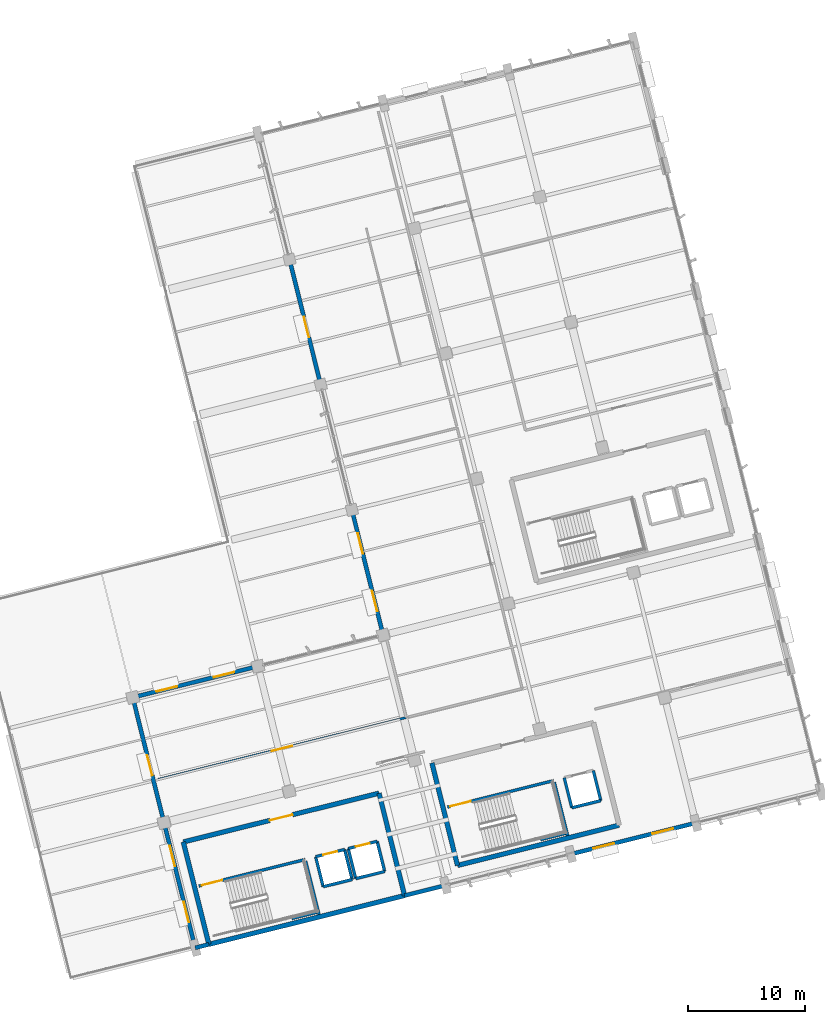
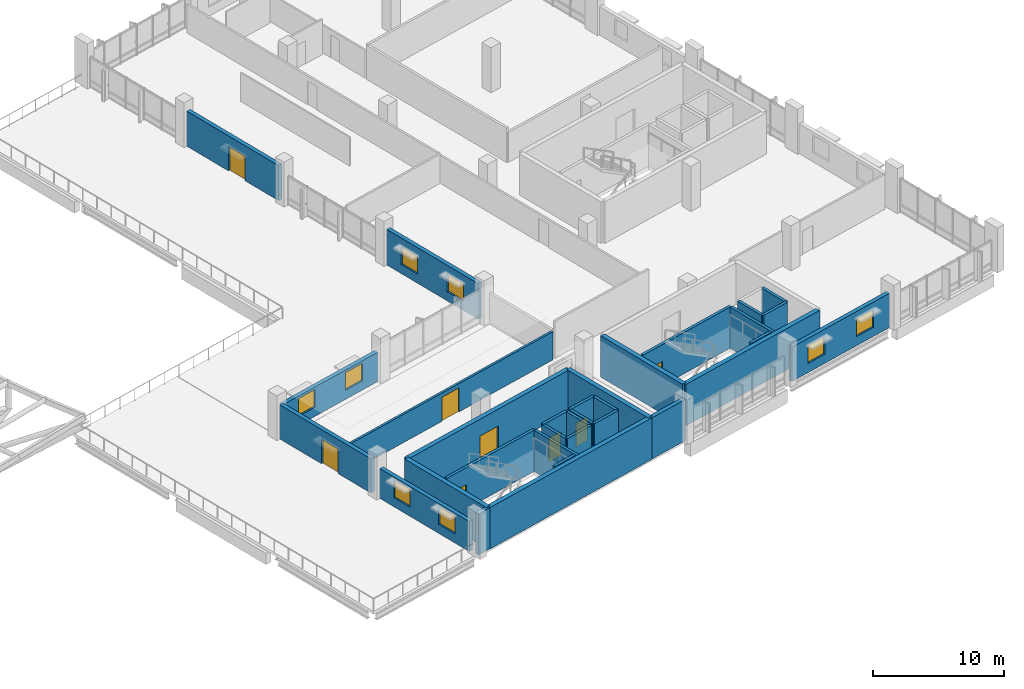
# One storey, part 67 of 75: 32 walls, 8 doors, 8 windows, 16 openings.
"""IFC4 building model written with IfcOpenShell, lengths in metres."""

from ifc_helpers import new_model, si_unit, direction, frame, frame_2d, origin, place, context, subcontext, project, spatial, rectangle, extrude, material, layer, layer_set, type_object, element, fill, save


model = new_model("IFC4")

# Units and contexts
model_context = context("Model", 3, precision=1e-05, world=origin(), true_north=direction((0.0, 1.0)))
body_context = subcontext(model_context, "Body", "Model", "MODEL_VIEW")
ifc_project = project(units=[si_unit("LENGTHUNIT", "METRE"), si_unit("AREAUNIT", "SQUARE_METRE"), si_unit("VOLUMEUNIT", "CUBIC_METRE"), si_unit("PLANEANGLEUNIT", "RADIAN"), si_unit("MASSUNIT", "GRAM", prefix="KILO")], contexts=[model_context])

# Site, building, storey
site_placement = place(None, origin())
site = spatial("IfcSite", under=ifc_project, at=site_placement, CompositionType="ELEMENT")
building_placement = place(site_placement, origin())
building = spatial("IfcBuilding", under=site, at=building_placement, Name="Khorjan Park Terminus", CompositionType="ELEMENT")
storey_placement = place(building_placement, frame((0.0, 0.0, 16.2)))
storey = spatial("IfcBuildingStorey", under=building, at=storey_placement, Name="L03", CompositionType="ELEMENT", Elevation=16.2)

# Walls
ifc_material_1 = material(Name="Concrete C50/60", Category="concrete")
ifc_layer_1 = layer(ifc_material_1, 0.4)
ifc_layer_set_1 = layer_set([ifc_layer_1], Name="Concrete C50/60")
wall_type_1 = type_object("IfcWallType", Name="CW-40", PredefinedType="SHEAR", material=ifc_layer_set_1)
wall_1_placement = place(storey_placement, frame((177.8376, 4.9514, 0.0), z_axis=(0.0, 0.0, 1.0), x_axis=(0.970295179998, 0.241924086589, 0.0)))
element("IfcWall", 1, at=wall_1_placement, inside=storey, type_object=wall_type_1, Name="Operations West Firefighting Core concrete shear wall CW-40 (L03-E1)", PredefinedType="SHEAR", context=body_context, shape_type="SweptSolid", body=[
    extrude(rectangle(XDim=17.2, YDim=0.4, at=frame_2d((8.6, 0.0))), origin(), (0.0, 0.0, 1.0), 3.87),
])
wall_2_placement = place(storey_placement, frame((194.5267, 9.1125, 0.0), z_axis=(0.0, 0.0, 1.0), x_axis=(-0.241923808098, 0.970295249435, 0.0)))
element("IfcWall", 2, at=wall_2_placement, inside=storey, type_object=wall_type_1, Name="Operations West Firefighting Core concrete shear wall CW-40 (L03-E2)", PredefinedType="SHEAR", context=body_context, shape_type="SweptSolid", body=[
    extrude(rectangle(XDim=8.9999, YDim=0.4, at=frame_2d((4.5, 0.0))), origin(), (0.0, 0.0, 1.0), 3.87),
])

# Wall, opening, door
wall_3_placement = place(storey_placement, frame((192.3494, 17.8451, 0.0), z_axis=(0.0, 0.0, 1.0), x_axis=(-0.970296544738, -0.241918612906, 0.0)))
wall_3 = element("IfcWall", 3, at=wall_3_placement, inside=storey, type_object=wall_type_1, Name="Operations West Firefighting Core concrete shear wall CW-40 (L03-E3)", PredefinedType="SHEAR", context=body_context, shape_type="SweptSolid", body=[
    extrude(rectangle(XDim=17.2, YDim=0.4, at=frame_2d((8.6, 0.0))), origin(), (0.0, 0.0, 1.0), 3.87),
])
opening_1_placement = place(wall_3_placement, frame((7.6, 0.0, 0.0)))
opening_1 = element("IfcOpeningElement", 4, at=opening_1_placement, cuts=wall_3, Name="Opening FD-20", PredefinedType="OPENING", context=body_context, shape_type="SweptSolid", body=[
    extrude(rectangle(XDim=2.0, YDim=2.3, at=frame_2d((1.0, 1.15))), frame((0.0, 0.21, 0.0), z_axis=(0.0, -1.0, 0.0), x_axis=(1.0, 0.0, 0.0)), (0.0, 0.0, 1.0), 0.42),
])
ifc_material_2 = material(Name="Fire-Rated Steel Double Door", Category="steel")
door_type_1 = type_object("IfcDoorType", Name="FD-20", OperationType="NOTDEFINED", PredefinedType="DOOR", material=ifc_material_2)
door_1_placement = place(opening_1_placement, origin())
door_1 = element("IfcDoor", 5, at=door_1_placement, inside=storey, type_object=door_type_1, Name="Operations West Firefighting Core fire-rated exit door FD-20 (L03)", OperationType="DOUBLE_DOOR_SINGLE_SWING", OverallHeight=2.3, OverallWidth=2.0, PredefinedType="DOOR", context=body_context, shape_type="SweptSolid", body=[
    extrude(rectangle(XDim=2.0, YDim=2.3, at=frame_2d((1.0, 1.15))), frame((0.0, 0.025, 0.0), z_axis=(0.0, -1.0, 0.0), x_axis=(1.0, 0.0, 0.0)), (0.0, 0.0, 1.0), 0.05),
])
fill(opening_1, door_1)

# Walls
wall_4_placement = place(storey_placement, frame((175.6603, 13.6841, 0.0), z_axis=(0.0, 0.0, 1.0), x_axis=(0.241921199913, -0.97029589973, 0.0)))
element("IfcWall", 6, at=wall_4_placement, inside=storey, type_object=wall_type_1, Name="Operations West Firefighting Core concrete shear wall CW-40 (L03-E4)", PredefinedType="SHEAR", context=body_context, shape_type="SweptSolid", body=[
    extrude(rectangle(XDim=9.0, YDim=0.4, at=frame_2d((4.5, 0.0))), origin(), (0.0, 0.0, 1.0), 3.87),
])
wall_5_placement = place(storey_placement, frame((199.0395, 11.6805, 0.0), z_axis=(0.0, 0.0, 1.0), x_axis=(0.970295578967, 0.241922486422, 0.0)))
element("IfcWall", 7, at=wall_5_placement, inside=storey, type_object=wall_type_1, Name="Operations Central Command Core concrete shear wall CW-40 (L03-E1)", PredefinedType="SHEAR", context=body_context, shape_type="SweptSolid", body=[
    extrude(rectangle(XDim=14.2, YDim=0.4, at=frame_2d((7.1, 0.0))), origin(), (0.0, 0.0, 1.0), 3.87),
])
wall_6_placement = place(storey_placement, frame((196.8622, 20.4132, 0.0), z_axis=(0.0, 0.0, 1.0), x_axis=(0.241921199913, -0.97029589973, 0.0)))
element("IfcWall", 8, at=wall_6_placement, inside=storey, type_object=wall_type_1, Name="Operations Central Command Core concrete shear wall CW-40 (L03-E4)", PredefinedType="SHEAR", context=body_context, shape_type="SweptSolid", body=[
    extrude(rectangle(XDim=9.0, YDim=0.4, at=frame_2d((4.5, 0.0))), origin(), (0.0, 0.0, 1.0), 3.87),
])

# Wall, openings, windows
ifc_material_3 = material(Name="Pigmented Precast GRC & Concrete C40/50", Category="concrete")
ifc_layer_2 = layer(ifc_material_3, 0.35)
ifc_layer_set_2 = layer_set([ifc_layer_2], Name="Pigmented Precast GRC & Concrete C40/50")
wall_type_2 = type_object("IfcWallType", Name="EW-35", PredefinedType="STANDARD", material=ifc_layer_set_2)
wall_7_placement = place(storey_placement, frame((208.9987, 12.7208, 0.0), z_axis=(0.0, 0.0, 1.0), x_axis=(0.970297165187, 0.241916124371, 0.0)))
wall_7 = element("IfcWall", 9, at=wall_7_placement, inside=storey, type_object=wall_type_2, Name="External pigmented-GRC insulated wall EW-35 (EW-V5-S-L03-B04)", PredefinedType="STANDARD", context=body_context, shape_type="SweptSolid", body=[
    extrude(rectangle(XDim=10.3697, YDim=0.35, at=frame_2d((5.1848, 0.0))), origin(), (0.0, 0.0, 1.0), 3.195),
])
opening_2_placement = place(wall_7_placement, frame((1.6924, 0.0, 0.85)))
opening_2 = element("IfcOpeningElement", 10, at=opening_2_placement, cuts=wall_7, Name="Opening WN-18", PredefinedType="OPENING", context=body_context, shape_type="SweptSolid", body=[
    extrude(rectangle(XDim=1.8, YDim=1.65, at=frame_2d((0.9, 0.825))), frame((0.0, 0.185, 0.0), z_axis=(0.0, -1.0, 0.0), x_axis=(1.0, 0.0, 0.0)), (0.0, 0.0, 1.0), 0.37),
])
opening_3_placement = place(wall_7_placement, frame((6.8773, 0.0, 0.85)))
opening_3 = element("IfcOpeningElement", 11, at=opening_3_placement, cuts=wall_7, Name="Opening WN-18", PredefinedType="OPENING", context=body_context, shape_type="SweptSolid", body=[
    extrude(rectangle(XDim=1.8, YDim=1.65, at=frame_2d((0.9, 0.825))), frame((0.0, 0.185, 0.0), z_axis=(0.0, -1.0, 0.0), x_axis=(1.0, 0.0, 0.0)), (0.0, 0.0, 1.0), 0.37),
])
ifc_material_4 = material(Name="Anodized Bronze Aluminium & Low-E Glass", Category="aluminium")
window_type = type_object("IfcWindowType", Name="WN-18", PartitioningType="SINGLE_PANEL", PredefinedType="WINDOW", material=ifc_material_4)
window_1_placement = place(opening_2_placement, origin())
window_1 = element("IfcWindow", 12, at=window_1_placement, inside=storey, type_object=window_type, Name="Solar-control exterior window WN-18 (WN-EW-V5-S-L03-B04-1)", OverallHeight=1.65, OverallWidth=1.8, PartitioningType="SINGLE_PANEL", PredefinedType="WINDOW", context=body_context, shape_type="SweptSolid", body=[
    extrude(rectangle(XDim=1.8, YDim=1.65, at=frame_2d((0.9, 0.825))), frame((0.0, 0.03, 0.0), z_axis=(0.0, -1.0, 0.0), x_axis=(1.0, 0.0, 0.0)), (0.0, 0.0, 1.0), 0.06),
])
fill(opening_2, window_1)
window_2_placement = place(opening_3_placement, origin())
window_2 = element("IfcWindow", 13, at=window_2_placement, inside=storey, type_object=window_type, Name="Solar-control exterior window WN-18 (WN-EW-V5-S-L03-B04-2)", OverallHeight=1.65, OverallWidth=1.8, PartitioningType="SINGLE_PANEL", PredefinedType="WINDOW", context=body_context, shape_type="SweptSolid", body=[
    extrude(rectangle(XDim=1.8, YDim=1.65, at=frame_2d((0.9, 0.825))), frame((0.0, 0.03, 0.0), z_axis=(0.0, -1.0, 0.0), x_axis=(1.0, 0.0, 0.0)), (0.0, 0.0, 1.0), 0.06),
])
fill(opening_3, window_2)

# Wall, opening, door
wall_8_placement = place(storey_placement, frame((184.8205, 62.9231, 0.0), z_axis=(0.0, 0.0, 1.0), x_axis=(0.241910181859, -0.970298646764, 0.0)))
wall_8 = element("IfcWall", 14, at=wall_8_placement, inside=storey, type_object=wall_type_2, Name="External pigmented-GRC insulated wall EW-35 (EW-V5-NW1-L03-B02)", PredefinedType="STANDARD", context=body_context, shape_type="SweptSolid", body=[
    extrude(rectangle(XDim=10.1207, YDim=0.35, at=frame_2d((5.0603, 0.0))), origin(), (0.0, 0.0, 1.0), 3.275),
])
opening_4_placement = place(wall_8_placement, frame((4.6, 0.0, 0.0)))
opening_4 = element("IfcOpeningElement", 15, at=opening_4_placement, cuts=wall_8, Name="Opening ED-18", PredefinedType="OPENING", context=body_context, shape_type="SweptSolid", body=[
    extrude(rectangle(XDim=1.8, YDim=2.3, at=frame_2d((0.9, 1.15))), frame((0.0, 0.185, 0.0), z_axis=(0.0, -1.0, 0.0), x_axis=(1.0, 0.0, 0.0)), (0.0, 0.0, 1.0), 0.37),
])
ifc_material_5 = material(Name="Anodized Bronze Aluminium & Safety Glass", Category="aluminium")
door_type_2 = type_object("IfcDoorType", Name="ED-18", OperationType="NOTDEFINED", PredefinedType="DOOR", material=ifc_material_5)
door_2_placement = place(opening_4_placement, origin())
door_2 = element("IfcDoor", 16, at=door_2_placement, inside=storey, type_object=door_type_2, Name="Exterior door ED-18 (DR-EW-V5-NW1-L03-B02)", OperationType="DOUBLE_DOOR_SINGLE_SWING", OverallHeight=2.3, OverallWidth=1.8, PredefinedType="DOOR", context=body_context, shape_type="SweptSolid", body=[
    extrude(rectangle(XDim=1.8, YDim=2.3, at=frame_2d((0.9, 1.15))), frame((0.0, 0.025, 0.0), z_axis=(0.0, -1.0, 0.0), x_axis=(1.0, 0.0, 0.0)), (0.0, 0.0, 1.0), 0.05),
])
fill(opening_4, door_2)

# Wall, openings, windows
wall_9_placement = place(storey_placement, frame((190.1428, 41.5762, 0.0), z_axis=(0.0, 0.0, 1.0), x_axis=(0.241927225135, -0.970294397458, 0.0)))
wall_9 = element("IfcWall", 17, at=wall_9_placement, inside=storey, type_object=wall_type_2, Name="External pigmented-GRC insulated wall EW-35 (EW-V5-NW1-L03-B04)", PredefinedType="STANDARD", context=body_context, shape_type="SweptSolid", body=[
    extrude(rectangle(XDim=10.0948, YDim=0.35, at=frame_2d((5.0474, 0.0))), origin(), (0.0, 0.0, 1.0), 3.325),
])
opening_5_placement = place(wall_9_placement, frame((1.6237, 0.0, 0.85)))
opening_5 = element("IfcOpeningElement", 18, at=opening_5_placement, cuts=wall_9, Name="Opening WN-18", PredefinedType="OPENING", context=body_context, shape_type="SweptSolid", body=[
    extrude(rectangle(XDim=1.8, YDim=1.65, at=frame_2d((0.9, 0.825))), frame((0.0, 0.185, 0.0), z_axis=(0.0, -1.0, 0.0), x_axis=(1.0, 0.0, 0.0)), (0.0, 0.0, 1.0), 0.37),
])
opening_6_placement = place(wall_9_placement, frame((6.6711, 0.0, 0.85)))
opening_6 = element("IfcOpeningElement", 19, at=opening_6_placement, cuts=wall_9, Name="Opening WN-18", PredefinedType="OPENING", context=body_context, shape_type="SweptSolid", body=[
    extrude(rectangle(XDim=1.8, YDim=1.65, at=frame_2d((0.9, 0.825))), frame((0.0, 0.185, 0.0), z_axis=(0.0, -1.0, 0.0), x_axis=(1.0, 0.0, 0.0)), (0.0, 0.0, 1.0), 0.37),
])
window_3_placement = place(opening_5_placement, origin())
window_3 = element("IfcWindow", 20, at=window_3_placement, inside=storey, type_object=window_type, Name="Solar-control exterior window WN-18 (WN-EW-V5-NW1-L03-B04-1)", OverallHeight=1.65, OverallWidth=1.8, PartitioningType="SINGLE_PANEL", PredefinedType="WINDOW", context=body_context, shape_type="SweptSolid", body=[
    extrude(rectangle(XDim=1.8, YDim=1.65, at=frame_2d((0.9, 0.825))), frame((0.0, 0.03, 0.0), z_axis=(0.0, -1.0, 0.0), x_axis=(1.0, 0.0, 0.0)), (0.0, 0.0, 1.0), 0.06),
])
fill(opening_5, window_3)
window_4_placement = place(opening_6_placement, origin())
window_4 = element("IfcWindow", 21, at=window_4_placement, inside=storey, type_object=window_type, Name="Solar-control exterior window WN-18 (WN-EW-V5-NW1-L03-B04-2)", OverallHeight=1.65, OverallWidth=1.8, PartitioningType="SINGLE_PANEL", PredefinedType="WINDOW", context=body_context, shape_type="SweptSolid", body=[
    extrude(rectangle(XDim=1.8, YDim=1.65, at=frame_2d((0.9, 0.825))), frame((0.0, 0.03, 0.0), z_axis=(0.0, -1.0, 0.0), x_axis=(1.0, 0.0, 0.0)), (0.0, 0.0, 1.0), 0.06),
])
fill(opening_6, window_4)

wall_10_placement = place(storey_placement, frame((181.5729, 28.5563, 0.0), z_axis=(0.0, 0.0, 1.0), x_axis=(-0.970293026442, -0.241932723785, 0.0)))
wall_10 = element("IfcWall", 22, at=wall_10_placement, inside=storey, type_object=wall_type_2, Name="External pigmented-GRC insulated wall EW-35 (EW-V5-NW2-L03-B02)", PredefinedType="STANDARD", context=body_context, shape_type="SweptSolid", body=[
    extrude(rectangle(XDim=10.0697, YDim=0.35, at=frame_2d((5.0348, 0.0))), origin(), (0.0, 0.0, 1.0), 2.735),
])
opening_7_placement = place(wall_10_placement, frame((1.6174, 0.0, 0.85)))
opening_7 = element("IfcOpeningElement", 23, at=opening_7_placement, cuts=wall_10, Name="Opening WN-18", PredefinedType="OPENING", context=body_context, shape_type="SweptSolid", body=[
    extrude(rectangle(XDim=1.8, YDim=1.65, at=frame_2d((0.9, 0.825))), frame((0.0, 0.185, 0.0), z_axis=(0.0, -1.0, 0.0), x_axis=(1.0, 0.0, 0.0)), (0.0, 0.0, 1.0), 0.37),
])
opening_8_placement = place(wall_10_placement, frame((6.6523, 0.0, 0.85)))
opening_8 = element("IfcOpeningElement", 24, at=opening_8_placement, cuts=wall_10, Name="Opening WN-18", PredefinedType="OPENING", context=body_context, shape_type="SweptSolid", body=[
    extrude(rectangle(XDim=1.8, YDim=1.65, at=frame_2d((0.9, 0.825))), frame((0.0, 0.185, 0.0), z_axis=(0.0, -1.0, 0.0), x_axis=(1.0, 0.0, 0.0)), (0.0, 0.0, 1.0), 0.37),
])
window_5_placement = place(opening_7_placement, origin())
window_5 = element("IfcWindow", 25, at=window_5_placement, inside=storey, type_object=window_type, Name="Solar-control exterior window WN-18 (WN-EW-V5-NW2-L03-B02-1)", OverallHeight=1.65, OverallWidth=1.8, PartitioningType="SINGLE_PANEL", PredefinedType="WINDOW", context=body_context, shape_type="SweptSolid", body=[
    extrude(rectangle(XDim=1.8, YDim=1.65, at=frame_2d((0.9, 0.825))), frame((0.0, 0.03, 0.0), z_axis=(0.0, -1.0, 0.0), x_axis=(1.0, 0.0, 0.0)), (0.0, 0.0, 1.0), 0.06),
])
fill(opening_7, window_5)
window_6_placement = place(opening_8_placement, origin())
window_6 = element("IfcWindow", 26, at=window_6_placement, inside=storey, type_object=window_type, Name="Solar-control exterior window WN-18 (WN-EW-V5-NW2-L03-B02-2)", OverallHeight=1.65, OverallWidth=1.8, PartitioningType="SINGLE_PANEL", PredefinedType="WINDOW", context=body_context, shape_type="SweptSolid", body=[
    extrude(rectangle(XDim=1.8, YDim=1.65, at=frame_2d((0.9, 0.825))), frame((0.0, 0.03, 0.0), z_axis=(0.0, -1.0, 0.0), x_axis=(1.0, 0.0, 0.0)), (0.0, 0.0, 1.0), 0.06),
])
fill(opening_8, window_6)

# Wall, opening, door
wall_11_placement = place(storey_placement, frame((171.4634, 25.5568, 0.0), z_axis=(0.0, 0.0, 1.0), x_axis=(0.241918762638, -0.970296507406, 0.0)))
wall_11 = element("IfcWall", 27, at=wall_11_placement, inside=storey, type_object=wall_type_2, Name="External pigmented-GRC insulated wall EW-35 (EW-V5-W-L03-B01)", PredefinedType="STANDARD", context=body_context, shape_type="SweptSolid", body=[
    extrude(rectangle(XDim=10.0707, YDim=0.35, at=frame_2d((5.0354, 0.0))), origin(), (0.0, 0.0, 1.0), 3.195),
])
opening_9_placement = place(wall_11_placement, frame((4.6, 0.0, 0.0)))
opening_9 = element("IfcOpeningElement", 28, at=opening_9_placement, cuts=wall_11, Name="Opening ED-18", PredefinedType="OPENING", context=body_context, shape_type="SweptSolid", body=[
    extrude(rectangle(XDim=1.8, YDim=2.3, at=frame_2d((0.9, 1.15))), frame((0.0, 0.185, 0.0), z_axis=(0.0, -1.0, 0.0), x_axis=(1.0, 0.0, 0.0)), (0.0, 0.0, 1.0), 0.37),
])
door_3_placement = place(opening_9_placement, origin())
door_3 = element("IfcDoor", 29, at=door_3_placement, inside=storey, type_object=door_type_2, Name="Exterior door ED-18 (DR-EW-V5-W-L03-B01)", OperationType="DOUBLE_DOOR_SINGLE_SWING", OverallHeight=2.3, OverallWidth=1.8, PredefinedType="DOOR", context=body_context, shape_type="SweptSolid", body=[
    extrude(rectangle(XDim=1.8, YDim=2.3, at=frame_2d((0.9, 1.15))), frame((0.0, 0.025, 0.0), z_axis=(0.0, -1.0, 0.0), x_axis=(1.0, 0.0, 0.0)), (0.0, 0.0, 1.0), 0.05),
])
fill(opening_9, door_3)

# Wall, openings, windows
wall_12_placement = place(storey_placement, frame((174.1247, 14.8829, 0.0), z_axis=(0.0, 0.0, 1.0), x_axis=(0.241920507487, -0.97029607237, 0.0)))
wall_12 = element("IfcWall", 30, at=wall_12_placement, inside=storey, type_object=wall_type_2, Name="External pigmented-GRC insulated wall EW-35 (EW-V5-W-L03-B02)", PredefinedType="STANDARD", context=body_context, shape_type="SweptSolid", body=[
    extrude(rectangle(XDim=9.8698, YDim=0.35, at=frame_2d((4.9349, 0.0))), origin(), (0.0, 0.0, 1.0), 2.785),
])
opening_10_placement = place(wall_12_placement, frame((1.5674, 0.0, 0.85)))
opening_10 = element("IfcOpeningElement", 31, at=opening_10_placement, cuts=wall_12, Name="Opening WN-18", PredefinedType="OPENING", context=body_context, shape_type="SweptSolid", body=[
    extrude(rectangle(XDim=1.8, YDim=1.65, at=frame_2d((0.9, 0.825))), frame((0.0, 0.185, 0.0), z_axis=(0.0, -1.0, 0.0), x_axis=(1.0, 0.0, 0.0)), (0.0, 0.0, 1.0), 0.37),
])
opening_11_placement = place(wall_12_placement, frame((6.5023, 0.0, 0.85)))
opening_11 = element("IfcOpeningElement", 32, at=opening_11_placement, cuts=wall_12, Name="Opening WN-18", PredefinedType="OPENING", context=body_context, shape_type="SweptSolid", body=[
    extrude(rectangle(XDim=1.8, YDim=1.65, at=frame_2d((0.9, 0.825))), frame((0.0, 0.185, 0.0), z_axis=(0.0, -1.0, 0.0), x_axis=(1.0, 0.0, 0.0)), (0.0, 0.0, 1.0), 0.37),
])
window_7_placement = place(opening_10_placement, origin())
window_7 = element("IfcWindow", 33, at=window_7_placement, inside=storey, type_object=window_type, Name="Solar-control exterior window WN-18 (WN-EW-V5-W-L03-B02-1)", OverallHeight=1.65, OverallWidth=1.8, PartitioningType="SINGLE_PANEL", PredefinedType="WINDOW", context=body_context, shape_type="SweptSolid", body=[
    extrude(rectangle(XDim=1.8, YDim=1.65, at=frame_2d((0.9, 0.825))), frame((0.0, 0.03, 0.0), z_axis=(0.0, -1.0, 0.0), x_axis=(1.0, 0.0, 0.0)), (0.0, 0.0, 1.0), 0.06),
])
fill(opening_10, window_7)
window_8_placement = place(opening_11_placement, origin())
window_8 = element("IfcWindow", 34, at=window_8_placement, inside=storey, type_object=window_type, Name="Solar-control exterior window WN-18 (WN-EW-V5-W-L03-B02-2)", OverallHeight=1.65, OverallWidth=1.8, PartitioningType="SINGLE_PANEL", PredefinedType="WINDOW", context=body_context, shape_type="SweptSolid", body=[
    extrude(rectangle(XDim=1.8, YDim=1.65, at=frame_2d((0.9, 0.825))), frame((0.0, 0.03, 0.0), z_axis=(0.0, -1.0, 0.0), x_axis=(1.0, 0.0, 0.0)), (0.0, 0.0, 1.0), 0.06),
])
fill(opening_11, window_8)

# Walls
wall_13_placement = place(storey_placement, frame((176.6733, 4.6611, 0.0), z_axis=(0.0, 0.0, 1.0), x_axis=(0.970294277425, 0.24192770655, 0.0)))
element("IfcWall", 35, at=wall_13_placement, inside=storey, type_object=wall_type_2, Name="External pigmented-GRC core infill wall EW-35 (EW-V5-K3P-L03-1)", PredefinedType="STANDARD", context=body_context, shape_type="SweptSolid", body=[
    extrude(rectangle(XDim=1.1999, YDim=0.35, at=frame_2d((0.5999, 0.0))), origin(), (0.0, 0.0, 1.0), 3.845),
])
wall_14_placement = place(storey_placement, frame((194.5267, 9.1125, 0.0), z_axis=(0.0, 0.0, 1.0), x_axis=(0.970297528922, 0.241914665466, 0.0)))
element("IfcWall", 36, at=wall_14_placement, inside=storey, type_object=wall_type_2, Name="External pigmented-GRC core infill wall EW-35 (EW-V5-K3P-L03-2)", PredefinedType="STANDARD", context=body_context, shape_type="SweptSolid", body=[
    extrude(rectangle(XDim=3.6, YDim=0.35, at=frame_2d((1.8, 0.0))), origin(), (0.0, 0.0, 1.0), 3.845),
])

# Wall, opening, door
ifc_material_6 = material(Name="Fire-Rated Acoustic Masonry & Drywall", Category="masonry")
ifc_layer_3 = layer(ifc_material_6, 0.2)
ifc_layer_set_3 = layer_set([ifc_layer_3], Name="Fire-Rated Acoustic Masonry & Drywall")
wall_type_3 = type_object("IfcWallType", Name="PT-20", PredefinedType="PARTITIONING", material=ifc_layer_set_3)
wall_15_placement = place(storey_placement, frame((194.6576, 24.2952, 0.0), z_axis=(0.0, 0.0, 1.0), x_axis=(-0.970295840199, -0.241921438678, 0.0)))
wall_15 = element("IfcWall", 37, at=wall_15_placement, inside=storey, type_object=wall_type_3, Name="Interior acoustic partition PT-20 (L03-SCADA)", PredefinedType="PARTITIONING", context=body_context, shape_type="SweptSolid", body=[
    extrude(rectangle(XDim=21.8001, YDim=0.2, at=frame_2d((10.9001, 0.0))), origin(), (0.0, 0.0, 1.0), 2.635),
])
opening_12_placement = place(wall_15_placement, frame((10.0, 0.0, 0.0)))
opening_12 = element("IfcOpeningElement", 38, at=opening_12_placement, cuts=wall_15, Name="Opening ID-18", PredefinedType="OPENING", context=body_context, shape_type="SweptSolid", body=[
    extrude(rectangle(XDim=1.8, YDim=2.25, at=frame_2d((0.9, 1.125))), frame((0.0, 0.11, 0.0), z_axis=(0.0, -1.0, 0.0), x_axis=(1.0, 0.0, 0.0)), (0.0, 0.0, 1.0), 0.22),
])
ifc_material_7 = material(Name="Acoustic Hardwood & Vision-Lite Double Door", Category="wood")
door_type_3 = type_object("IfcDoorType", Name="ID-18", OperationType="NOTDEFINED", PredefinedType="DOOR", material=ifc_material_7)
door_4_placement = place(opening_12_placement, origin())
door_4 = element("IfcDoor", 39, at=door_4_placement, inside=storey, type_object=door_type_3, Name="Interior door ID-18 (L03-SCADA)", OperationType="DOUBLE_DOOR_SINGLE_SWING", OverallHeight=2.25, OverallWidth=1.8, PredefinedType="DOOR", context=body_context, shape_type="SweptSolid", body=[
    extrude(rectangle(XDim=1.8, YDim=2.25, at=frame_2d((0.9, 1.125))), frame((0.0, 0.025, 0.0), z_axis=(0.0, -1.0, 0.0), x_axis=(1.0, 0.0, 0.0)), (0.0, 0.0, 1.0), 0.05),
])
fill(opening_12, door_4)

# Walls
ifc_material_8 = material(Name="Concrete C40/50", Category="concrete")
ifc_layer_4 = layer(ifc_material_8, 0.25)
ifc_layer_set_4 = layer_set([ifc_layer_4], Name="Concrete C40/50")
wall_type_4 = type_object("IfcWallType", Name="SW-25", PredefinedType="SOLIDWALL", material=ifc_layer_set_4)
wall_16_placement = place(storey_placement, frame((187.5883, 9.8663, 0.0), z_axis=(0.0, 0.0, 1.0), x_axis=(0.97029284861, 0.241933436994, 0.0)))
element("IfcWall", 40, at=wall_16_placement, inside=storey, type_object=wall_type_4, Name="Lift L05 concrete shaft wall SW-25 (L03-1)", PredefinedType="SOLIDWALL", context=body_context, shape_type="SweptSolid", body=[
    extrude(rectangle(XDim=2.54, YDim=0.25, at=frame_2d((1.27, 0.0))), origin(), (0.0, 0.0, 1.0), 3.87),
])
wall_17_placement = place(storey_placement, frame((190.0528, 10.4808, 0.0), z_axis=(0.0, 0.0, 1.0), x_axis=(-0.241938414856, 0.970291607413, 0.0)))
element("IfcWall", 41, at=wall_17_placement, inside=storey, type_object=wall_type_4, Name="Lift L05 concrete shaft wall SW-25 (L03-2)", PredefinedType="SOLIDWALL", context=body_context, shape_type="SweptSolid", body=[
    extrude(rectangle(XDim=2.6399, YDim=0.25, at=frame_2d((1.3199, 0.0))), origin(), (0.0, 0.0, 1.0), 3.87),
])

# Wall, opening, door
wall_18_placement = place(storey_placement, frame((189.4141, 13.0423, 0.0), z_axis=(0.0, 0.0, 1.0), x_axis=(-0.97029284861, -0.241933436994, 0.0)))
wall_18 = element("IfcWall", 42, at=wall_18_placement, inside=storey, type_object=wall_type_4, Name="Lift L05 concrete shaft wall SW-25 (L03-3)", PredefinedType="SOLIDWALL", context=body_context, shape_type="SweptSolid", body=[
    extrude(rectangle(XDim=2.54, YDim=0.25, at=frame_2d((1.27, 0.0))), origin(), (0.0, 0.0, 1.0), 3.87),
])
opening_13_placement = place(wall_18_placement, frame((0.67, 0.0, 0.0)))
opening_13 = element("IfcOpeningElement", 43, at=opening_13_placement, cuts=wall_18, Name="Opening LD-12", PredefinedType="OPENING", context=body_context, shape_type="SweptSolid", body=[
    extrude(rectangle(XDim=1.2, YDim=2.2, at=frame_2d((0.6, 1.1))), frame((0.0, 0.135, 0.0), z_axis=(0.0, -1.0, 0.0), x_axis=(1.0, 0.0, 0.0)), (0.0, 0.0, 1.0), 0.27),
])
ifc_material_9 = material(Name="Stainless-Steel Lift Landing Sliding Door", Category="steel")
door_type_4 = type_object("IfcDoorType", Name="LD-12", OperationType="NOTDEFINED", PredefinedType="DOOR", material=ifc_material_9)
door_5_placement = place(opening_13_placement, origin())
door_5 = element("IfcDoor", 44, at=door_5_placement, inside=storey, type_object=door_type_4, Name="Lift L05 sliding landing door LD-12 (L03)", OperationType="SLIDING_TO_LEFT", OverallHeight=2.2, OverallWidth=1.2, PredefinedType="DOOR", context=body_context, shape_type="SweptSolid", body=[
    extrude(rectangle(XDim=1.2, YDim=2.2, at=frame_2d((0.6, 1.1))), frame((0.0, 0.025, 0.0), z_axis=(0.0, -1.0, 0.0), x_axis=(1.0, 0.0, 0.0)), (0.0, 0.0, 1.0), 0.05),
])
fill(opening_13, door_5)

# Walls
wall_19_placement = place(storey_placement, frame((186.9496, 12.4278, 0.0), z_axis=(0.0, 0.0, 1.0), x_axis=(0.241938414856, -0.970291607413, 0.0)))
element("IfcWall", 45, at=wall_19_placement, inside=storey, type_object=wall_type_4, Name="Lift L05 concrete shaft wall SW-25 (L03-4)", PredefinedType="SOLIDWALL", context=body_context, shape_type="SweptSolid", body=[
    extrude(rectangle(XDim=2.6399, YDim=0.25, at=frame_2d((1.3199, 0.0))), origin(), (0.0, 0.0, 1.0), 3.87),
])
wall_20_placement = place(storey_placement, frame((190.3633, 10.5582, 0.0), z_axis=(0.0, 0.0, 1.0), x_axis=(0.97029284861, 0.241933436994, 0.0)))
element("IfcWall", 46, at=wall_20_placement, inside=storey, type_object=wall_type_4, Name="Lift L06 concrete shaft wall SW-25 (L03-1)", PredefinedType="SOLIDWALL", context=body_context, shape_type="SweptSolid", body=[
    extrude(rectangle(XDim=2.54, YDim=0.25, at=frame_2d((1.27, 0.0))), origin(), (0.0, 0.0, 1.0), 3.87),
])
wall_21_placement = place(storey_placement, frame((192.8278, 11.1727, 0.0), z_axis=(0.0, 0.0, 1.0), x_axis=(-0.241938414856, 0.970291607413, 0.0)))
element("IfcWall", 47, at=wall_21_placement, inside=storey, type_object=wall_type_4, Name="Lift L06 concrete shaft wall SW-25 (L03-2)", PredefinedType="SOLIDWALL", context=body_context, shape_type="SweptSolid", body=[
    extrude(rectangle(XDim=2.6399, YDim=0.25, at=frame_2d((1.3199, 0.0))), origin(), (0.0, 0.0, 1.0), 3.87),
])

# Wall, opening, door
wall_22_placement = place(storey_placement, frame((192.1891, 13.7342, 0.0), z_axis=(0.0, 0.0, 1.0), x_axis=(-0.97029284861, -0.241933436994, 0.0)))
wall_22 = element("IfcWall", 48, at=wall_22_placement, inside=storey, type_object=wall_type_4, Name="Lift L06 concrete shaft wall SW-25 (L03-3)", PredefinedType="SOLIDWALL", context=body_context, shape_type="SweptSolid", body=[
    extrude(rectangle(XDim=2.54, YDim=0.25, at=frame_2d((1.27, 0.0))), origin(), (0.0, 0.0, 1.0), 3.87),
])
opening_14_placement = place(wall_22_placement, frame((0.67, 0.0, 0.0)))
opening_14 = element("IfcOpeningElement", 49, at=opening_14_placement, cuts=wall_22, Name="Opening LD-12", PredefinedType="OPENING", context=body_context, shape_type="SweptSolid", body=[
    extrude(rectangle(XDim=1.2, YDim=2.2, at=frame_2d((0.6, 1.1))), frame((0.0, 0.135, 0.0), z_axis=(0.0, -1.0, 0.0), x_axis=(1.0, 0.0, 0.0)), (0.0, 0.0, 1.0), 0.27),
])
door_6_placement = place(opening_14_placement, origin())
door_6 = element("IfcDoor", 50, at=door_6_placement, inside=storey, type_object=door_type_4, Name="Lift L06 sliding landing door LD-12 (L03)", OperationType="SLIDING_TO_RIGHT", OverallHeight=2.2, OverallWidth=1.2, PredefinedType="DOOR", context=body_context, shape_type="SweptSolid", body=[
    extrude(rectangle(XDim=1.2, YDim=2.2, at=frame_2d((0.6, 1.1))), frame((0.0, 0.025, 0.0), z_axis=(0.0, -1.0, 0.0), x_axis=(1.0, 0.0, 0.0)), (0.0, 0.0, 1.0), 0.05),
])
fill(opening_14, door_6)

# Walls
wall_23_placement = place(storey_placement, frame((189.7246, 13.1197, 0.0), z_axis=(0.0, 0.0, 1.0), x_axis=(0.241938414856, -0.970291607413, 0.0)))
element("IfcWall", 51, at=wall_23_placement, inside=storey, type_object=wall_type_4, Name="Lift L06 concrete shaft wall SW-25 (L03-4)", PredefinedType="SOLIDWALL", context=body_context, shape_type="SweptSolid", body=[
    extrude(rectangle(XDim=2.6399, YDim=0.25, at=frame_2d((1.3199, 0.0))), origin(), (0.0, 0.0, 1.0), 3.87),
])
wall_24_placement = place(storey_placement, frame((208.7902, 16.5954, 0.0), z_axis=(0.0, 0.0, 1.0), x_axis=(0.97029284861, 0.241933436994, 0.0)))
element("IfcWall", 52, at=wall_24_placement, inside=storey, type_object=wall_type_4, Name="Lift L12 concrete shaft wall SW-25 (L03-1)", PredefinedType="SOLIDWALL", context=body_context, shape_type="SweptSolid", body=[
    extrude(rectangle(XDim=2.54, YDim=0.25, at=frame_2d((1.27, 0.0))), origin(), (0.0, 0.0, 1.0), 3.87),
])
for number, where, z_axis, x_axis, name in (
    (53, (211.2547, 17.2099, 0.0), (0.0, 0.0, 1.0), (-0.241938414856, 0.970291607413, 0.0), "Lift L12 concrete shaft wall SW-25 (L03-2)"),
    (54, (208.1515, 19.1569, 0.0), (0.0, 0.0, 1.0), (0.241938414856, -0.970291607413, 0.0), "Lift L12 concrete shaft wall SW-25 (L03-4)"),
):
    element("IfcWall", number, at=place(storey_placement, frame(where, z_axis=z_axis, x_axis=x_axis)), inside=storey, type_object=wall_type_4, Name=name, PredefinedType="SOLIDWALL", context=body_context, shape_type="SweptSolid", body=[
        extrude(rectangle(XDim=2.6399, YDim=0.25, at=frame_2d((1.3199, 0.0))), origin(), (0.0, 0.0, 1.0), 3.87),
    ])

# Wall, opening, door
wall_25_placement = place(storey_placement, frame((176.9882, 9.9288, 0.0), z_axis=(0.0, 0.0, 1.0), x_axis=(0.970297151331, 0.241916179943, 0.0)))
wall_25 = element("IfcWall", 55, at=wall_25_placement, inside=storey, type_object=wall_type_4, Name="Operations West Firefighting Core structural stairwell wall SW-25 (L03)", PredefinedType="SOLIDWALL", context=body_context, shape_type="SweptSolid", body=[
    extrude(rectangle(XDim=9.345, YDim=0.25, at=frame_2d((4.6725, 0.0))), origin(), (0.0, 0.0, 1.0), 3.84),
])
opening_15_placement = place(wall_25_placement, frame((0.25, 0.0, 0.0)))
opening_15 = element("IfcOpeningElement", 56, at=opening_15_placement, cuts=wall_25, Name="Opening FD-18", PredefinedType="OPENING", context=body_context, shape_type="SweptSolid", body=[
    extrude(rectangle(XDim=1.8, YDim=2.25, at=frame_2d((0.9, 1.125))), frame((0.0, 0.135, 0.0), z_axis=(0.0, -1.0, 0.0), x_axis=(1.0, 0.0, 0.0)), (0.0, 0.0, 1.0), 0.27),
])
door_type_5 = type_object("IfcDoorType", Name="FD-18", OperationType="NOTDEFINED", PredefinedType="DOOR", material=ifc_material_2)
door_7_placement = place(opening_15_placement, origin())
door_7 = element("IfcDoor", 57, at=door_7_placement, inside=storey, type_object=door_type_5, Name="Operations West Firefighting Core stairwell fire door FD-18 (L03)", OperationType="DOUBLE_DOOR_SINGLE_SWING", OverallHeight=2.25, OverallWidth=1.8, PredefinedType="DOOR", context=body_context, shape_type="SweptSolid", body=[
    extrude(rectangle(XDim=1.8, YDim=2.25, at=frame_2d((0.9, 1.125))), frame((0.0, 0.025, 0.0), z_axis=(0.0, -1.0, 0.0), x_axis=(1.0, 0.0, 0.0)), (0.0, 0.0, 1.0), 0.05),
])
fill(opening_15, door_7)

# Walls
wall_26_placement = place(storey_placement, frame((187.2253, 7.4981, 0.0), z_axis=(0.0, 0.0, 1.0), x_axis=(-0.241911120435, 0.970298412763, 0.0)))
element("IfcWall", 58, at=wall_26_placement, inside=storey, type_object=wall_type_4, Name="Operations West Firefighting Core stairwell end bearing wall SW-25 (L03)", PredefinedType="SOLIDWALL", context=body_context, shape_type="SweptSolid", body=[
    extrude(rectangle(XDim=4.71, YDim=0.25, at=frame_2d((2.355, 0.0))), origin(), (0.0, 0.0, 1.0), 3.84),
])
wall_27_placement = place(storey_placement, frame((184.915, 7.154, 0.0), z_axis=(0.0, 0.0, 1.0), x_axis=(0.97029738597, 0.241915238833, 0.0)))
element("IfcWall", 59, at=wall_27_placement, inside=storey, type_object=wall_type_4, Name="Operations West Firefighting Core half-landing bearing wall SW-25 (L03)", PredefinedType="SOLIDWALL", context=body_context, shape_type="SweptSolid", body=[
    extrude(rectangle(XDim=2.1999, YDim=0.25, at=frame_2d((1.0999, 0.0))), origin(), (0.0, 0.0, 1.0), 3.84),
])

# Wall, opening, door
wall_28_placement = place(storey_placement, frame((198.1901, 16.6579, 0.0), z_axis=(0.0, 0.0, 1.0), x_axis=(0.970297151331, 0.241916179943, 0.0)))
wall_28 = element("IfcWall", 60, at=wall_28_placement, inside=storey, type_object=wall_type_4, Name="Operations Central Command Core structural stairwell wall SW-25 (L03)", PredefinedType="SOLIDWALL", context=body_context, shape_type="SweptSolid", body=[
    extrude(rectangle(XDim=9.345, YDim=0.25, at=frame_2d((4.6725, 0.0))), origin(), (0.0, 0.0, 1.0), 3.84),
])
opening_16_placement = place(wall_28_placement, frame((0.25, 0.0, 0.0)))
opening_16 = element("IfcOpeningElement", 61, at=opening_16_placement, cuts=wall_28, Name="Opening FD-18", PredefinedType="OPENING", context=body_context, shape_type="SweptSolid", body=[
    extrude(rectangle(XDim=1.8, YDim=2.25, at=frame_2d((0.9, 1.125))), frame((0.0, 0.135, 0.0), z_axis=(0.0, -1.0, 0.0), x_axis=(1.0, 0.0, 0.0)), (0.0, 0.0, 1.0), 0.27),
])
door_8_placement = place(opening_16_placement, origin())
door_8 = element("IfcDoor", 62, at=door_8_placement, inside=storey, type_object=door_type_5, Name="Operations Central Command Core stairwell fire door FD-18 (L03)", OperationType="DOUBLE_DOOR_SINGLE_SWING", OverallHeight=2.25, OverallWidth=1.8, PredefinedType="DOOR", context=body_context, shape_type="SweptSolid", body=[
    extrude(rectangle(XDim=1.8, YDim=2.25, at=frame_2d((0.9, 1.125))), frame((0.0, 0.025, 0.0), z_axis=(0.0, -1.0, 0.0), x_axis=(1.0, 0.0, 0.0)), (0.0, 0.0, 1.0), 0.05),
])
fill(opening_16, door_8)

# Walls
wall_29_placement = place(storey_placement, frame((208.4272, 14.2272, 0.0), z_axis=(0.0, 0.0, 1.0), x_axis=(-0.241911120435, 0.970298412763, 0.0)))
element("IfcWall", 63, at=wall_29_placement, inside=storey, type_object=wall_type_4, Name="Operations Central Command Core stairwell end bearing wall SW-25 (L03)", PredefinedType="SOLIDWALL", context=body_context, shape_type="SweptSolid", body=[
    extrude(rectangle(XDim=4.71, YDim=0.25, at=frame_2d((2.355, 0.0))), origin(), (0.0, 0.0, 1.0), 3.84),
])
wall_30_placement = place(storey_placement, frame((206.1169, 13.8831, 0.0), z_axis=(0.0, 0.0, 1.0), x_axis=(0.97029738597, 0.241915238833, 0.0)))
element("IfcWall", 64, at=wall_30_placement, inside=storey, type_object=wall_type_4, Name="Operations Central Command Core half-landing bearing wall SW-25 (L03)", PredefinedType="SOLIDWALL", context=body_context, shape_type="SweptSolid", body=[
    extrude(rectangle(XDim=2.1999, YDim=0.25, at=frame_2d((1.0999, 0.0))), origin(), (0.0, 0.0, 1.0), 3.84),
])

save(model, "model.ifc")
